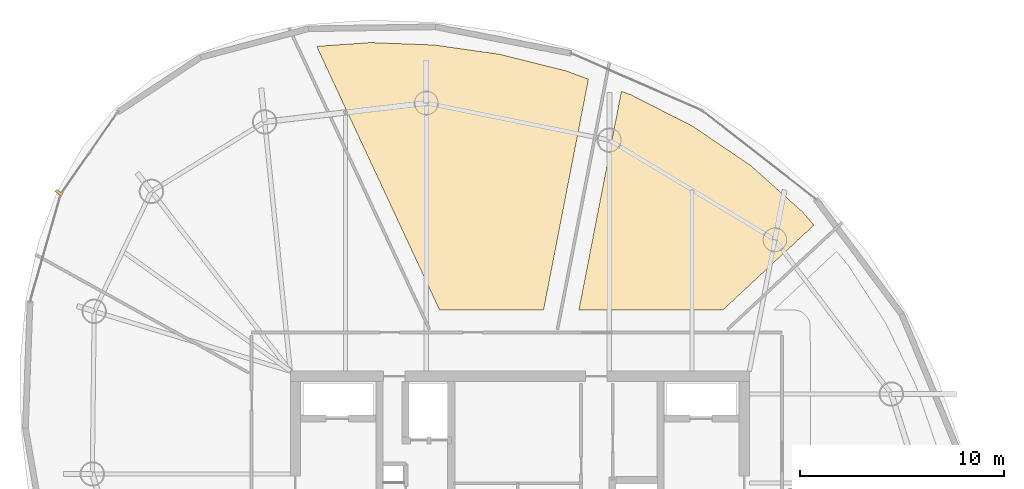
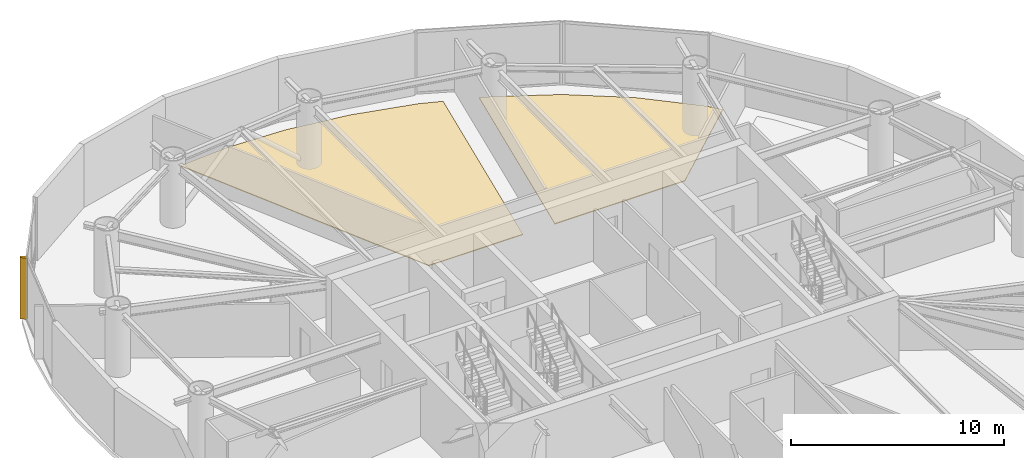
# One storey, part 22 of 22: 2 coverings, 1 shading device.
"""IFC4 building model written with IfcOpenShell, lengths in metres."""

from ifc_helpers import new_model, si_unit, direction, frame, origin, origin_2d, place, context, subcontext, project, spatial, polyline, rectangle, outline, extrude, material, layer, layer_set, type_object, element, save


model = new_model("IFC4")

# Units and contexts
model_context = context("Model", 3, precision=1e-05, world=origin(), true_north=direction((0.0, 1.0)))
body_context = subcontext(model_context, "Body", "Model", "MODEL_VIEW")
ifc_project = project(units=[si_unit("LENGTHUNIT", "METRE"), si_unit("AREAUNIT", "SQUARE_METRE"), si_unit("VOLUMEUNIT", "CUBIC_METRE"), si_unit("PLANEANGLEUNIT", "RADIAN"), si_unit("MASSUNIT", "GRAM", prefix="KILO")], contexts=[model_context])

# Site, building, storey
site_placement = place(None, origin())
site = spatial("IfcSite", under=ifc_project, at=site_placement, CompositionType="ELEMENT")
building_placement = place(site_placement, origin())
building = spatial("IfcBuilding", under=site, at=building_placement, Name="Bramvorn Convention Spire", CompositionType="ELEMENT")
storey_placement = place(building_placement, frame((0.0, 0.0, 213.550048828125)))
storey = spatial("IfcBuildingStorey", under=building, at=storey_placement, Name="L54", CompositionType="ELEMENT", Elevation=213.550048828125)

# Coverings
ifc_material_1 = material(Name="Calcium-Sulphate Raised Access Office Floor", Category="steel")
ifc_layer = layer(ifc_material_1, 0.044921875)
ifc_layer_set = layer_set([ifc_layer], Name="Calcium-Sulphate Raised Access Office Floor - FLR-RAISED-45")
covering_type = type_object("IfcCoveringType", Name="FLR-RAISED-45", PredefinedType="FLOORING", material=ifc_layer_set)
covering_1_placement = place(storey_placement, origin())
element("IfcCovering", 1, at=covering_1_placement, inside=storey, type_object=covering_type, Name="L54 Design Office Studio B 2 raised floor finish", PredefinedType="FLOORING", context=body_context, shape_type="SweptSolid", body=[
    extrude(outline(polyline([(43.443115234375, 46.9931640625), (42.979736328125, 47.1640625), (40.897216796875, 36.449951171875), (47.9599609375, 36.449951171875), (52.41552734375, 40.60498046875), (51.86083984375, 41.253173828125), (49.31591796875, 43.524169921875), (46.489501953125, 45.443115234375), (43.443115234375, 46.9931640625)])), origin(), (0.0, 0.0, 1.0), 0.044921875),
])
covering_2_placement = place(storey_placement, origin())
element("IfcCovering", 2, at=covering_2_placement, inside=storey, type_object=covering_type, Name="L54 Client Meeting Pin-Up Room 1 3 raised floor finish", PredefinedType="FLOORING", context=body_context, shape_type="SweptSolid", body=[
    extrude(outline(polyline([(34.06494140625, 36.449951171875), (39.165283203125, 36.449951171875), (41.364013671875, 47.76025390625), (40.25244140625, 48.170166015625), (37.001953125, 48.97998046875), (33.77978515625, 49.435546875), (30.671142578125, 49.552001953125), (28.042236328125, 49.365966796875), (34.06494140625, 36.449951171875)])), origin(), (0.0, 0.0, 1.0), 0.044921875),
])

# Shading device
ifc_material_2 = material(Name="Extruded Champagne Bronze Aluminium Lancet Fin", Category="aluminium")
shading_device_type = type_object("IfcShadingDeviceType", Name="SHD-FIN-LANCET", PredefinedType="SHUTTER", material=ifc_material_2)
shading_device_placement = place(storey_placement, frame((15.40771484375, 42.1962890625, 0.050048828125), z_axis=(0.0, 0.0, 1.0), x_axis=(-0.81272941791, 0.582641307551, 0.0)))
element("IfcShadingDevice", 3, at=shading_device_placement, inside=storey, type_object=shading_device_type, Name="L54 Gothic bronze wind-corner fin 13", PredefinedType="SHUTTER", context=body_context, shape_type="SweptSolid", body=[
    extrude(rectangle(XDim=0.360107421875, YDim=0.139892578125, at=origin_2d()), origin(), (0.0, 0.0, 1.0), 3.52001953125),
])

save(model, "model.ifc")
